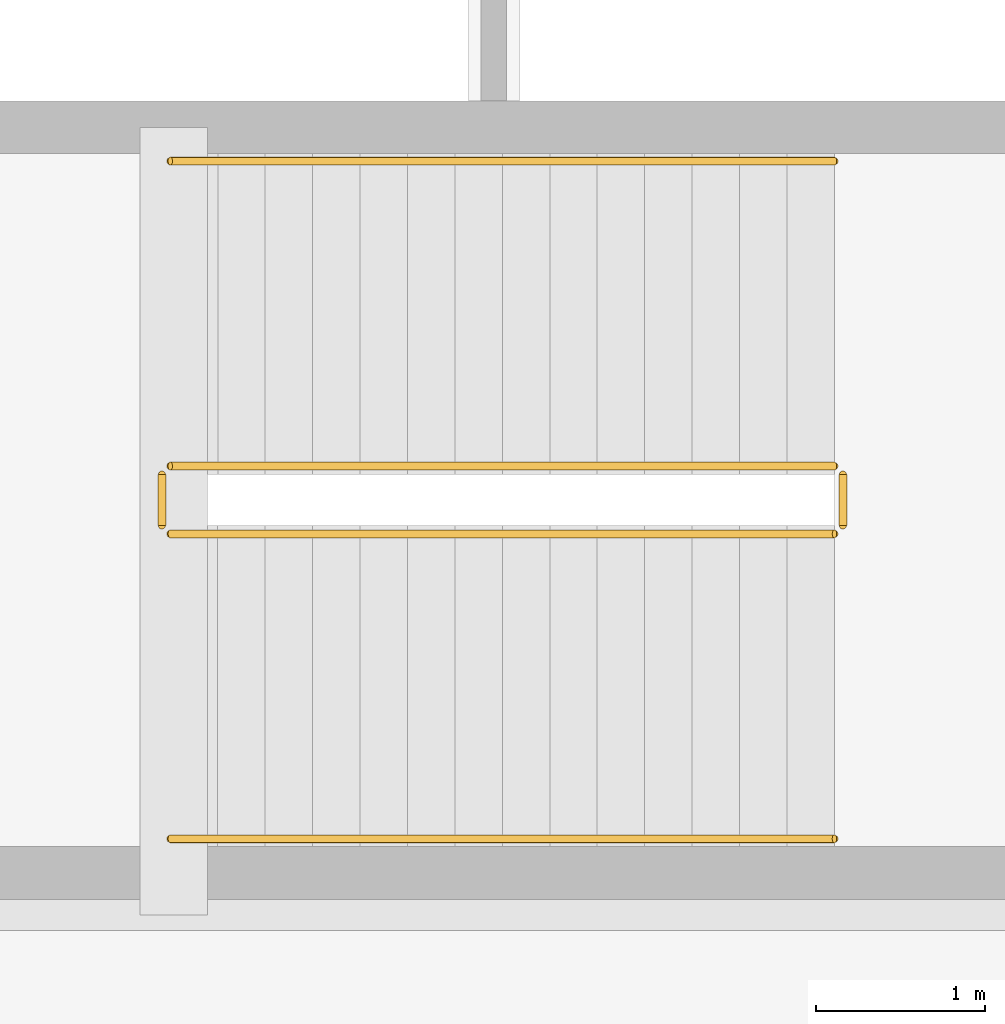
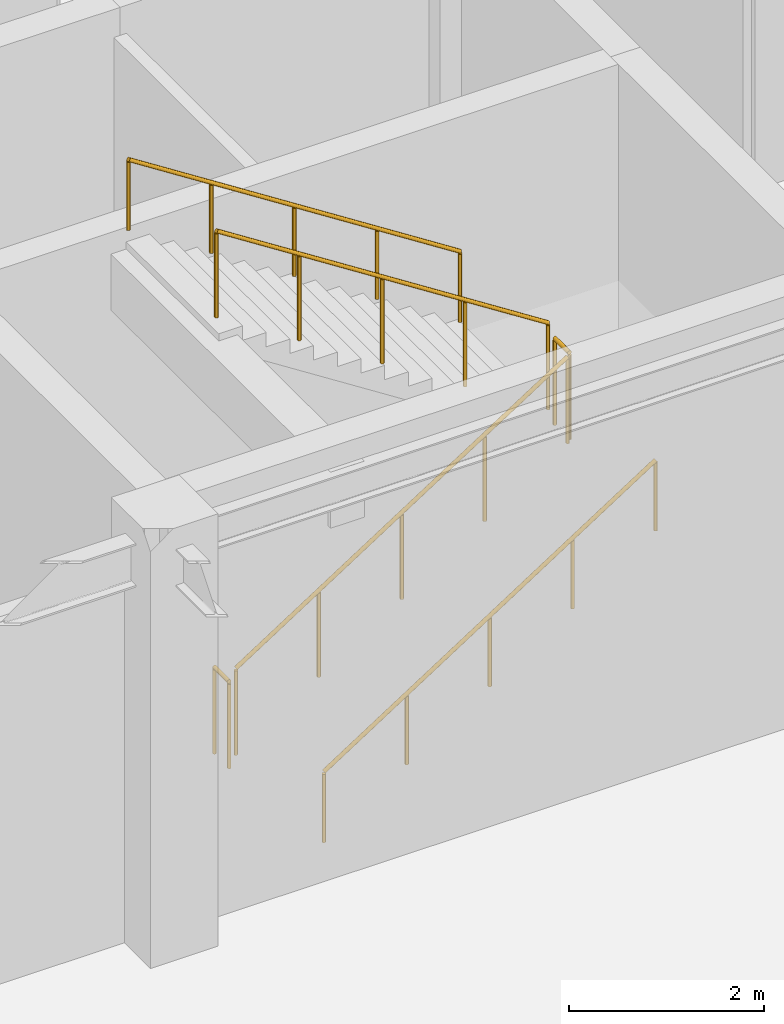
# One storey, part 48 of 52: 6 railings.
"""IFC4 building model written with IfcOpenShell, lengths in metres."""

from ifc_helpers import new_model, si_unit, direction, frame, origin, origin_2d, place, context, subcontext, project, spatial, circle, extrude, material, type_object, element, save


model = new_model("IFC4")

# Units and contexts
model_context = context("Model", 3, precision=1e-05, world=origin(), true_north=direction((0.0, 1.0)))
body_context = subcontext(model_context, "Body", "Model", "MODEL_VIEW")
ifc_project = project(units=[si_unit("LENGTHUNIT", "METRE"), si_unit("AREAUNIT", "SQUARE_METRE"), si_unit("VOLUMEUNIT", "CUBIC_METRE"), si_unit("PLANEANGLEUNIT", "RADIAN"), si_unit("MASSUNIT", "GRAM", prefix="KILO")], contexts=[model_context])

# Site, building, storey
site_placement = place(None, origin())
site = spatial("IfcSite", under=ifc_project, at=site_placement, CompositionType="ELEMENT")
building_placement = place(site_placement, origin())
building = spatial("IfcBuilding", under=site, at=building_placement, Name="Parian Resonance Hall", CompositionType="ELEMENT")
storey_placement = place(building_placement, origin())
storey = spatial("IfcBuildingStorey", under=building, at=storey_placement, Name="L00", CompositionType="ELEMENT", Elevation=0.0)

# Railings
ifc_material_1 = material(Name="Patinated bronze whiplash metalwork")
railing_type_1 = type_object("IfcRailingType", Name="RAIL-STAIR-GRD-1100", PredefinedType="GUARDRAIL", material=ifc_material_1)
railing_1_placement = place(storey_placement, frame((123.639892578125, 50.85009765625, 0.179931640625)))
element("IfcRailing", 1, at=railing_1_placement, inside=storey, type_object=railing_type_1, Name="L00 ST-02 stair guard 1", PredefinedType="GUARDRAIL", context=body_context, shape_type="SweptSolid", body=[
    extrude(circle(Radius=0.02392578125, at=origin_2d()), frame((0.0, 0.0, 1.076171875), z_axis=(0.841186985886, 0.0, 0.540744352514), x_axis=(0.0, 1.0, 0.0)), (0.0, 0.0, 1.0), 4.660400390625),
    extrude(circle(Radius=0.02099609375, at=origin_2d()), origin(), (0.0, 0.0, 1.0), 1.052001953125),
    extrude(circle(Radius=0.02099609375, at=origin_2d()), frame((0.97998046875, 0.0, 0.6298828125)), (0.0, 0.0, 1.0), 1.052001953125),
    extrude(circle(Radius=0.02099609375, at=origin_2d()), frame((1.9599609375, 0.0, 1.260009765625)), (0.0, 0.0, 1.0), 1.052001953125),
    extrude(circle(Radius=0.02099609375, at=origin_2d()), frame((2.940185546875, 0.0, 1.89013671875)), (0.0, 0.0, 1.0), 1.052001953125),
    extrude(circle(Radius=0.02099609375, at=origin_2d()), frame((3.920166015625, 0.0, 2.52001953125)), (0.0, 0.0, 1.0), 1.052001953125),
])
railing_2_placement = place(storey_placement, frame((127.610107421875, 50.89990234375, 2.699951171875)))
element("IfcRailing", 2, at=railing_2_placement, inside=storey, type_object=railing_type_1, Name="L00 ST-02 stair guard 2", PredefinedType="GUARDRAIL", context=body_context, shape_type="SweptSolid", body=[
    extrude(circle(Radius=0.02392578125, at=origin_2d()), frame((0.0, 0.0, 1.076171875), z_axis=(0.0, 1.0, 0.0), x_axis=(-1.0, 0.0, 0.0)), (0.0, 0.0, 1.0), 0.300048828125),
    extrude(circle(Radius=0.02099609375, at=origin_2d()), origin(), (0.0, 0.0, 1.0), 1.052001953125),
    extrude(circle(Radius=0.02099609375, at=origin_2d()), frame((0.0, 0.300048828125, 0.0)), (0.0, 0.0, 1.0), 1.052001953125),
])
railing_3_placement = place(storey_placement, frame((127.56005859375, 51.25, 2.8798828125)))
element("IfcRailing", 3, at=railing_3_placement, inside=storey, type_object=railing_type_1, Name="L00 ST-02 stair guard 3", PredefinedType="GUARDRAIL", context=body_context, shape_type="SweptSolid", body=[
    extrude(circle(Radius=0.02392578125, at=origin_2d()), frame((0.0, 0.0, 1.076171875), z_axis=(-0.841186985886, 0.0, 0.540744352514), x_axis=(0.0, -1.0, 0.0)), (0.0, 0.0, 1.0), 4.660400390625),
    extrude(circle(Radius=0.02099609375, at=origin_2d()), origin(), (0.0, 0.0, 1.0), 1.052001953125),
    extrude(circle(Radius=0.02099609375, at=origin_2d()), frame((-0.97998046875, 0.0, 0.6298828125)), (0.0, 0.0, 1.0), 1.052001953125),
    extrude(circle(Radius=0.02099609375, at=origin_2d()), frame((-1.9599609375, 0.0, 1.260009765625)), (0.0, 0.0, 1.0), 1.052001953125),
    extrude(circle(Radius=0.02099609375, at=origin_2d()), frame((-2.940185546875, 0.0, 1.89013671875)), (0.0, 0.0, 1.0), 1.052001953125),
    extrude(circle(Radius=0.02099609375, at=origin_2d()), frame((-3.920166015625, 0.0, 2.52001953125)), (0.0, 0.0, 1.0), 1.052001953125),
])
railing_4_placement = place(storey_placement, frame((123.590087890625, 50.89990234375, 0.0)))
element("IfcRailing", 4, at=railing_4_placement, inside=storey, type_object=railing_type_1, Name="L00 ST-02 stair guard 4", PredefinedType="GUARDRAIL", context=body_context, shape_type="SweptSolid", body=[
    extrude(circle(Radius=0.02392578125, at=origin_2d()), frame((0.0, 0.0, 1.076171875), z_axis=(0.0, 1.0, 0.0), x_axis=(-1.0, 0.0, 0.0)), (0.0, 0.0, 1.0), 0.300048828125),
    extrude(circle(Radius=0.02099609375, at=origin_2d()), origin(), (0.0, 0.0, 1.0), 1.052001953125),
    extrude(circle(Radius=0.02099609375, at=origin_2d()), frame((0.0, 0.300048828125, 0.0)), (0.0, 0.0, 1.0), 1.052001953125),
])
ifc_material_2 = material(Name="Patinated bronze whiplash metalwork")
railing_type_2 = type_object("IfcRailingType", Name="RAIL-STAIR-HR-900", PredefinedType="HANDRAIL", material=ifc_material_2)
railing_5_placement = place(storey_placement, frame((123.639892578125, 49.050048828125, 0.179931640625)))
element("IfcRailing", 5, at=railing_5_placement, inside=storey, type_object=railing_type_2, Name="L00 ST-02 stair handrail 1", PredefinedType="HANDRAIL", context=body_context, shape_type="SweptSolid", body=[
    extrude(circle(Radius=0.02392578125, at=origin_2d()), frame((0.0, 0.0, 0.8759765625), z_axis=(0.841186985886, 0.0, 0.540744352514), x_axis=(0.0, 1.0, 0.0)), (0.0, 0.0, 1.0), 4.660400390625),
    extrude(circle(Radius=0.02099609375, at=origin_2d()), origin(), (0.0, 0.0, 1.0), 0.851806640625),
    extrude(circle(Radius=0.02099609375, at=origin_2d()), frame((0.97998046875, 0.0, 0.6298828125)), (0.0, 0.0, 1.0), 0.851806640625),
    extrude(circle(Radius=0.02099609375, at=origin_2d()), frame((1.9599609375, 0.0, 1.260009765625)), (0.0, 0.0, 1.0), 0.851806640625),
    extrude(circle(Radius=0.02099609375, at=origin_2d()), frame((2.940185546875, 0.0, 1.89013671875)), (0.0, 0.0, 1.0), 0.851806640625),
    extrude(circle(Radius=0.02099609375, at=origin_2d()), frame((3.920166015625, 0.0, 2.52001953125)), (0.0, 0.0, 1.0), 0.851806640625),
])
railing_6_placement = place(storey_placement, frame((127.56005859375, 53.050048828125, 2.8798828125)))
element("IfcRailing", 6, at=railing_6_placement, inside=storey, type_object=railing_type_2, Name="L00 ST-02 stair handrail 2", PredefinedType="HANDRAIL", context=body_context, shape_type="SweptSolid", body=[
    extrude(circle(Radius=0.02392578125, at=origin_2d()), frame((0.0, 0.0, 0.8759765625), z_axis=(-0.841186985886, 0.0, 0.540744352514), x_axis=(0.0, -1.0, 0.0)), (0.0, 0.0, 1.0), 4.660400390625),
    extrude(circle(Radius=0.02099609375, at=origin_2d()), origin(), (0.0, 0.0, 1.0), 0.851806640625),
    extrude(circle(Radius=0.02099609375, at=origin_2d()), frame((-0.97998046875, 0.0, 0.6298828125)), (0.0, 0.0, 1.0), 0.851806640625),
    extrude(circle(Radius=0.02099609375, at=origin_2d()), frame((-1.9599609375, 0.0, 1.260009765625)), (0.0, 0.0, 1.0), 0.851806640625),
    extrude(circle(Radius=0.02099609375, at=origin_2d()), frame((-2.940185546875, 0.0, 1.89013671875)), (0.0, 0.0, 1.0), 0.851806640625),
    extrude(circle(Radius=0.02099609375, at=origin_2d()), frame((-3.920166015625, 0.0, 2.52001953125)), (0.0, 0.0, 1.0), 0.851806640625),
])

save(model, "model.ifc")
